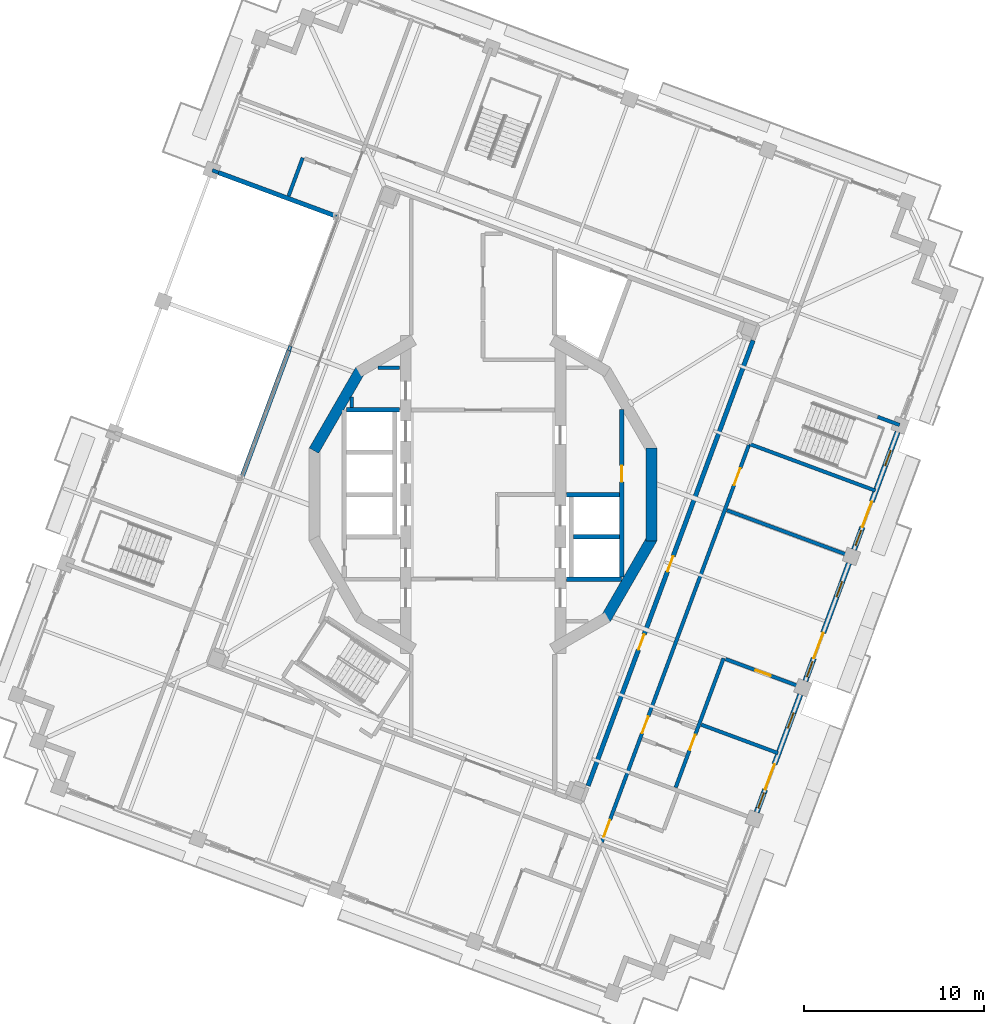
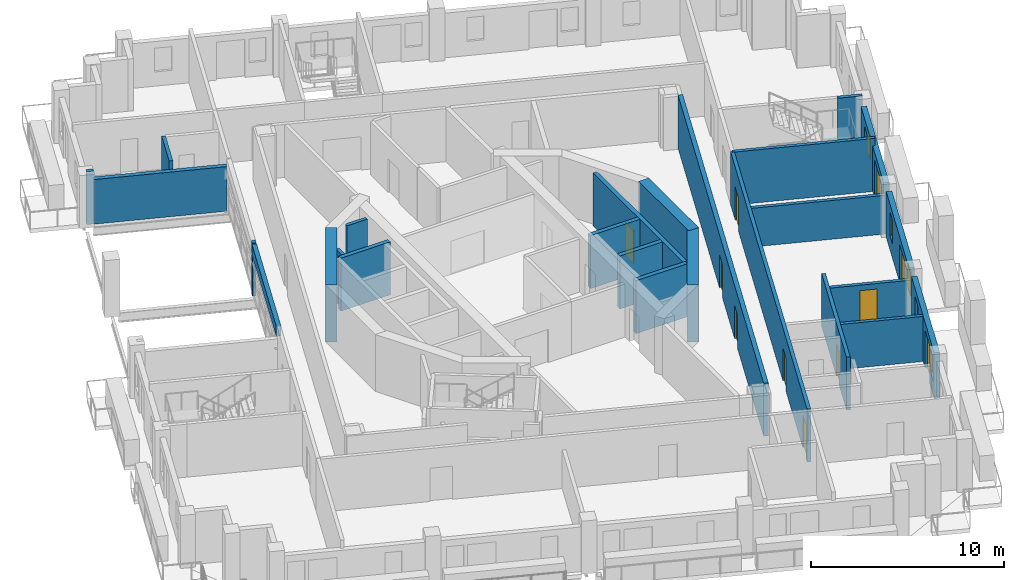
# One storey, part 10 of 20: 26 walls, 11 doors, 6 windows, 17 openings.
"""IFC4 building model written with IfcOpenShell, lengths in metres."""

from ifc_helpers import new_model, si_unit, direction, frame, frame_2d, origin, place, context, subcontext, project, spatial, rectangle, extrude, material, layer, layer_set, type_object, element, fill, save


model = new_model("IFC4")

# Units and contexts
model_context = context("Model", 3, precision=1e-05, world=origin(), true_north=direction((0.0, 1.0)))
body_context = subcontext(model_context, "Body", "Model", "MODEL_VIEW")
ifc_project = project(units=[si_unit("LENGTHUNIT", "METRE"), si_unit("AREAUNIT", "SQUARE_METRE"), si_unit("VOLUMEUNIT", "CUBIC_METRE"), si_unit("PLANEANGLEUNIT", "RADIAN"), si_unit("MASSUNIT", "GRAM", prefix="KILO")], contexts=[model_context])

# Site, building, storey
site_placement = place(None, origin())
site = spatial("IfcSite", under=ifc_project, at=site_placement, CompositionType="ELEMENT")
building_placement = place(site_placement, origin())
building = spatial("IfcBuilding", under=site, at=building_placement, Name="Cantera Rosa Tower", CompositionType="ELEMENT")
storey_placement = place(building_placement, frame((0.0, 0.0, 309.699951171875)))
storey = spatial("IfcBuildingStorey", under=building, at=storey_placement, Name="L68", CompositionType="ELEMENT", Elevation=309.699951171875)

# Wall
ifc_material_1 = material(Name="Gypsum board partition")
ifc_layer_1 = layer(ifc_material_1, 0.199951171875)
ifc_layer_set_1 = layer_set([ifc_layer_1], Name="CORRIDOR WALL 200 H3350")
wall_type_1 = type_object("IfcWallType", Name="CORRIDOR WALL 200 H3350", PredefinedType="PARTITIONING", material=ifc_layer_set_1)
wall_1_placement = place(storey_placement, frame((-10.69775390625, 8.256103515625, 0.0), z_axis=(0.0, 0.0, 1.0), x_axis=(-0.347639521276, -0.937628264957, 0.0)))
element("IfcWall", 1, at=wall_1_placement, inside=storey, type_object=wall_type_1, Name="CORRIDOR WALL L68-029", PredefinedType="PARTITIONING", context=body_context, shape_type="SweptSolid", body=[
    extrude(rectangle(XDim=0.26904296875, YDim=0.199951171875, at=frame_2d((0.134521484375, 0.0))), origin(), (0.0, 0.0, 1.0), 3.35009765625),
])

# Wall, openings, doors
wall_2_placement = place(storey_placement, frame((6.595458984375, -19.326171875, 0.0), z_axis=(0.0, 0.0, 1.0), x_axis=(0.347482068394, 0.937686627901, 0.0)))
wall_2 = element("IfcWall", 2, at=wall_2_placement, inside=storey, type_object=wall_type_1, Name="CORRIDOR WALL L68-079", PredefinedType="PARTITIONING", context=body_context, shape_type="SweptSolid", body=[
    extrude(rectangle(XDim=23.610107421875, YDim=0.199951171875, at=frame_2d((11.80517578125, 0.0))), origin(), (0.0, 0.0, 1.0), 3.35009765625),
])
opening_1_placement = place(wall_2_placement, frame((6.4599609375, 0.0, 0.0)))
opening_1 = element("IfcOpeningElement", 3, at=opening_1_placement, cuts=wall_2, Name="Opening L68-031", PredefinedType="OPENING", context=body_context, shape_type="SweptSolid", body=[
    extrude(rectangle(XDim=1.0, YDim=2.10009765625, at=frame_2d((0.5, 1.050048828125))), frame((0.0, 0.10986328125, 0.0), z_axis=(0.0, -1.0, 0.0), x_axis=(1.0, 0.0, 0.0)), (0.0, 0.0, 1.0), 0.219970703125),
])
opening_2_placement = place(wall_2_placement, frame((21.1650390625, 0.0, 0.0)))
opening_2 = element("IfcOpeningElement", 4, at=opening_2_placement, cuts=wall_2, Name="Opening L68-036", PredefinedType="OPENING", context=body_context, shape_type="SweptSolid", body=[
    extrude(rectangle(XDim=1.0, YDim=2.10009765625, at=frame_2d((0.5, 1.050048828125))), frame((0.0, 0.10986328125, 0.0), z_axis=(0.0, -1.0, 0.0), x_axis=(1.0, 0.0, 0.0)), (0.0, 0.0, 1.0), 0.219970703125),
])
opening_3_placement = place(wall_2_placement, frame((0.320068359375, 0.0, 0.0)))
opening_3 = element("IfcOpeningElement", 5, at=opening_3_placement, cuts=wall_2, Name="Opening L68-037", PredefinedType="OPENING", context=body_context, shape_type="SweptSolid", body=[
    extrude(rectangle(XDim=1.0, YDim=2.10009765625, at=frame_2d((0.5, 1.050048828125))), frame((0.0, 0.10986328125, 0.0), z_axis=(0.0, -1.0, 0.0), x_axis=(1.0, 0.0, 0.0)), (0.0, 0.0, 1.0), 0.219970703125),
])
ifc_material_2 = material(Name="Timber door leaf", Category="wood")
door_type_1 = type_object("IfcDoorType", Name="ENTRANCE DOOR 1000x2100", OperationType="NOTDEFINED", PredefinedType="DOOR", material=ifc_material_2)
door_1_placement = place(opening_1_placement, origin())
door_1 = element("IfcDoor", 6, at=door_1_placement, inside=storey, type_object=door_type_1, Name="DOOR L68-031", OperationType="NOTDEFINED", OverallHeight=2.10009765625, OverallWidth=1.0, PredefinedType="DOOR", context=body_context, shape_type="SweptSolid", body=[
    extrude(rectangle(XDim=1.0, YDim=2.10009765625, at=frame_2d((0.5, 1.050048828125))), frame((0.0, 0.02490234375, 0.0), z_axis=(0.0, -1.0, 0.0), x_axis=(1.0, 0.0, 0.0)), (0.0, 0.0, 1.0), 0.050048828125),
])
fill(opening_1, door_1)
door_2_placement = place(opening_3_placement, origin())
door_2 = element("IfcDoor", 7, at=door_2_placement, inside=storey, type_object=door_type_1, Name="DOOR L68-037", OperationType="NOTDEFINED", OverallHeight=2.10009765625, OverallWidth=1.0, PredefinedType="DOOR", context=body_context, shape_type="SweptSolid", body=[
    extrude(rectangle(XDim=1.0, YDim=2.10009765625, at=frame_2d((0.5, 1.050048828125))), frame((0.0, 0.02490234375, 0.0), z_axis=(0.0, -1.0, 0.0), x_axis=(1.0, 0.0, 0.0)), (0.0, 0.0, 1.0), 0.050048828125),
])
fill(opening_3, door_2)
ifc_material_3 = material(Name="Timber door leaf", Category="wood")
door_type_2 = type_object("IfcDoorType", Name="ROOM DOOR 1000x2100", OperationType="NOTDEFINED", PredefinedType="DOOR", material=ifc_material_3)
door_3_placement = place(opening_2_placement, origin())
door_3 = element("IfcDoor", 8, at=door_3_placement, inside=storey, type_object=door_type_2, Name="DOOR L68-036", OperationType="NOTDEFINED", OverallHeight=2.10009765625, OverallWidth=1.0, PredefinedType="DOOR", context=body_context, shape_type="SweptSolid", body=[
    extrude(rectangle(XDim=1.0, YDim=2.10009765625, at=frame_2d((0.5, 1.050048828125))), frame((0.0, 0.02490234375, 0.0), z_axis=(0.0, -1.0, 0.0), x_axis=(1.0, 0.0, 0.0)), (0.0, 0.0, 1.0), 0.050048828125),
])
fill(opening_2, door_3)

# Wall, openings, windows, door
ifc_material_4 = material(Name="Hollow clay masonry with cantera stone cladding", Category="masonry")
ifc_layer_2 = layer(ifc_material_4, 0.300048828125)
ifc_layer_set_2 = layer_set([ifc_layer_2], Name="EW-LOGGIA 300 H2890")
wall_type_2 = type_object("IfcWallType", Name="EW-LOGGIA 300 H2890", PredefinedType="SOLIDWALL", material=ifc_layer_set_2)
wall_3_placement = place(storey_placement, frame((15.212646484375, -17.65625, 0.0), z_axis=(0.0, 0.0, 1.0), x_axis=(0.347502316452, 0.937679124253, 0.0)))
wall_3 = element("IfcWall", 9, at=wall_3_placement, inside=storey, type_object=wall_type_2, Name="EN-L68-W21", PredefinedType="SOLIDWALL", context=body_context, shape_type="SweptSolid", body=[
    extrude(rectangle(XDim=6.97998046875, YDim=0.300048828125, at=frame_2d((3.489990234375, 0.0))), origin(), (0.0, 0.0, 1.0), 2.89013671875),
])
opening_4_placement = place(wall_3_placement, frame((0.2451171875, 0.0, 0.89990234375)))
opening_4 = element("IfcOpeningElement", 10, at=opening_4_placement, cuts=wall_3, Name="Opening L68-W37", PredefinedType="OPENING", context=body_context, shape_type="SweptSolid", body=[
    extrude(rectangle(XDim=0.89990234375, YDim=1.5, at=frame_2d((0.449951171875, 0.75))), frame((0.0, 0.159912109375, 0.0), z_axis=(0.0, -1.0, 0.0), x_axis=(1.0, 0.0, 0.0)), (0.0, 0.0, 1.0), 0.320068359375),
])
opening_5_placement = place(wall_3_placement, frame((1.344970703125, 0.0, 0.0)))
opening_5 = element("IfcOpeningElement", 11, at=opening_5_placement, cuts=wall_3, Name="Opening L68-TD38", PredefinedType="OPENING", context=body_context, shape_type="SweptSolid", body=[
    extrude(rectangle(XDim=1.5, YDim=2.39990234375, at=frame_2d((0.75, 1.199951171875))), frame((0.0, 0.159912109375, 0.0), z_axis=(0.0, -1.0, 0.0), x_axis=(1.0, 0.0, 0.0)), (0.0, 0.0, 1.0), 0.320068359375),
])
opening_6_placement = place(wall_3_placement, frame((4.985107421875, 0.0, 0.89990234375)))
opening_6 = element("IfcOpeningElement", 12, at=opening_6_placement, cuts=wall_3, Name="Opening L68-W39", PredefinedType="OPENING", context=body_context, shape_type="SweptSolid", body=[
    extrude(rectangle(XDim=0.89990234375, YDim=1.5, at=frame_2d((0.449951171875, 0.75))), frame((0.0, 0.159912109375, 0.0), z_axis=(0.0, -1.0, 0.0), x_axis=(1.0, 0.0, 0.0)), (0.0, 0.0, 1.0), 0.320068359375),
])
ifc_material_5 = material(Name="Aluminium frame with clear glass", Category="aluminium")
window_type = type_object("IfcWindowType", Name="Residential window 900x1500", PartitioningType="SINGLE_PANEL", PredefinedType="WINDOW", material=ifc_material_5)
window_1_placement = place(opening_4_placement, origin())
window_1 = element("IfcWindow", 13, at=window_1_placement, inside=storey, type_object=window_type, Name="WINDOW L68-W37", OverallHeight=1.5, OverallWidth=0.89990234375, PartitioningType="SINGLE_PANEL", PredefinedType="WINDOW", context=body_context, shape_type="SweptSolid", body=[
    extrude(rectangle(XDim=0.89990234375, YDim=1.5, at=frame_2d((0.449951171875, 0.75))), frame((0.0, 0.030029296875, 0.0), z_axis=(0.0, -1.0, 0.0), x_axis=(1.0, 0.0, 0.0)), (0.0, 0.0, 1.0), 0.06005859375),
])
fill(opening_4, window_1)
window_2_placement = place(opening_6_placement, origin())
window_2 = element("IfcWindow", 14, at=window_2_placement, inside=storey, type_object=window_type, Name="WINDOW L68-W39", OverallHeight=1.5, OverallWidth=0.89990234375, PartitioningType="SINGLE_PANEL", PredefinedType="WINDOW", context=body_context, shape_type="SweptSolid", body=[
    extrude(rectangle(XDim=0.89990234375, YDim=1.5, at=frame_2d((0.449951171875, 0.75))), frame((0.0, 0.030029296875, 0.0), z_axis=(0.0, -1.0, 0.0), x_axis=(1.0, 0.0, 0.0)), (0.0, 0.0, 1.0), 0.06005859375),
])
fill(opening_6, window_2)
ifc_material_6 = material(Name="Aluminium frame with clear glass", Category="aluminium")
door_type_3 = type_object("IfcDoorType", Name="TD-R 1500x2400", OperationType="NOTDEFINED", PredefinedType="DOOR", material=ifc_material_6)
door_4_placement = place(opening_5_placement, origin())
door_4 = element("IfcDoor", 15, at=door_4_placement, inside=storey, type_object=door_type_3, Name="LOGGIA DOOR L68-TD38", OperationType="SLIDING_TO_LEFT", OverallHeight=2.39990234375, OverallWidth=1.5, PredefinedType="DOOR", context=body_context, shape_type="SweptSolid", body=[
    extrude(rectangle(XDim=1.5, YDim=2.39990234375, at=frame_2d((0.75, 1.199951171875))), frame((0.0, 0.02490234375, 0.0), z_axis=(0.0, -1.0, 0.0), x_axis=(1.0, 0.0, 0.0)), (0.0, 0.0, 1.0), 0.050048828125),
])
fill(opening_5, door_4)

wall_4_placement = place(storey_placement, frame((17.916015625, -10.361083984375, 0.0), z_axis=(0.0, 0.0, 1.0), x_axis=(0.347502316452, 0.937679124253, 0.0)))
wall_4 = element("IfcWall", 16, at=wall_4_placement, inside=storey, type_object=wall_type_2, Name="EN-L68-W22", PredefinedType="SOLIDWALL", context=body_context, shape_type="SweptSolid", body=[
    extrude(rectangle(XDim=6.97998046875, YDim=0.300048828125, at=frame_2d((3.489990234375, 0.0))), origin(), (0.0, 0.0, 1.0), 2.89013671875),
])
opening_7_placement = place(wall_4_placement, frame((0.2451171875, 0.0, 0.89990234375)))
opening_7 = element("IfcOpeningElement", 17, at=opening_7_placement, cuts=wall_4, Name="Opening L68-W40", PredefinedType="OPENING", context=body_context, shape_type="SweptSolid", body=[
    extrude(rectangle(XDim=0.89990234375, YDim=1.5, at=frame_2d((0.449951171875, 0.75))), frame((0.0, 0.159912109375, 0.0), z_axis=(0.0, -1.0, 0.0), x_axis=(1.0, 0.0, 0.0)), (0.0, 0.0, 1.0), 0.320068359375),
])
opening_8_placement = place(wall_4_placement, frame((1.344970703125, 0.0, 0.0)))
opening_8 = element("IfcOpeningElement", 18, at=opening_8_placement, cuts=wall_4, Name="Opening L68-TD41", PredefinedType="OPENING", context=body_context, shape_type="SweptSolid", body=[
    extrude(rectangle(XDim=1.5, YDim=2.39990234375, at=frame_2d((0.75, 1.199951171875))), frame((0.0, 0.159912109375, 0.0), z_axis=(0.0, -1.0, 0.0), x_axis=(1.0, 0.0, 0.0)), (0.0, 0.0, 1.0), 0.320068359375),
])
opening_9_placement = place(wall_4_placement, frame((4.985107421875, 0.0, 0.89990234375)))
opening_9 = element("IfcOpeningElement", 19, at=opening_9_placement, cuts=wall_4, Name="Opening L68-W42", PredefinedType="OPENING", context=body_context, shape_type="SweptSolid", body=[
    extrude(rectangle(XDim=0.89990234375, YDim=1.5, at=frame_2d((0.449951171875, 0.75))), frame((0.0, 0.159912109375, 0.0), z_axis=(0.0, -1.0, 0.0), x_axis=(1.0, 0.0, 0.0)), (0.0, 0.0, 1.0), 0.320068359375),
])
window_3_placement = place(opening_7_placement, origin())
window_3 = element("IfcWindow", 20, at=window_3_placement, inside=storey, type_object=window_type, Name="WINDOW L68-W40", OverallHeight=1.5, OverallWidth=0.89990234375, PartitioningType="SINGLE_PANEL", PredefinedType="WINDOW", context=body_context, shape_type="SweptSolid", body=[
    extrude(rectangle(XDim=0.89990234375, YDim=1.5, at=frame_2d((0.449951171875, 0.75))), frame((0.0, 0.030029296875, 0.0), z_axis=(0.0, -1.0, 0.0), x_axis=(1.0, 0.0, 0.0)), (0.0, 0.0, 1.0), 0.06005859375),
])
fill(opening_7, window_3)
window_4_placement = place(opening_9_placement, origin())
window_4 = element("IfcWindow", 21, at=window_4_placement, inside=storey, type_object=window_type, Name="WINDOW L68-W42", OverallHeight=1.5, OverallWidth=0.89990234375, PartitioningType="SINGLE_PANEL", PredefinedType="WINDOW", context=body_context, shape_type="SweptSolid", body=[
    extrude(rectangle(XDim=0.89990234375, YDim=1.5, at=frame_2d((0.449951171875, 0.75))), frame((0.0, 0.030029296875, 0.0), z_axis=(0.0, -1.0, 0.0), x_axis=(1.0, 0.0, 0.0)), (0.0, 0.0, 1.0), 0.06005859375),
])
fill(opening_9, window_4)
door_5_placement = place(opening_8_placement, origin())
door_5 = element("IfcDoor", 22, at=door_5_placement, inside=storey, type_object=door_type_3, Name="LOGGIA DOOR L68-TD41", OperationType="SLIDING_TO_LEFT", OverallHeight=2.39990234375, OverallWidth=1.5, PredefinedType="DOOR", context=body_context, shape_type="SweptSolid", body=[
    extrude(rectangle(XDim=1.5, YDim=2.39990234375, at=frame_2d((0.75, 1.199951171875))), frame((0.0, 0.02490234375, 0.0), z_axis=(0.0, -1.0, 0.0), x_axis=(1.0, 0.0, 0.0)), (0.0, 0.0, 1.0), 0.050048828125),
])
fill(opening_8, door_5)

wall_5_placement = place(storey_placement, frame((20.61962890625, -3.06591796875, 0.0), z_axis=(0.0, 0.0, 1.0), x_axis=(0.347471562124, 0.937690521182, 0.0)))
wall_5 = element("IfcWall", 23, at=wall_5_placement, inside=storey, type_object=wall_type_2, Name="EN-L68-W23", PredefinedType="SOLIDWALL", context=body_context, shape_type="SweptSolid", body=[
    extrude(rectangle(XDim=6.979736328125, YDim=0.300048828125, at=frame_2d((3.48974609375, 0.0))), origin(), (0.0, 0.0, 1.0), 2.89013671875),
])
opening_10_placement = place(wall_5_placement, frame((0.2451171875, 0.0, 0.89990234375)))
opening_10 = element("IfcOpeningElement", 24, at=opening_10_placement, cuts=wall_5, Name="Opening L68-W43", PredefinedType="OPENING", context=body_context, shape_type="SweptSolid", body=[
    extrude(rectangle(XDim=0.89990234375, YDim=1.5, at=frame_2d((0.449951171875, 0.75))), frame((0.0, 0.159912109375, 0.0), z_axis=(0.0, -1.0, 0.0), x_axis=(1.0, 0.0, 0.0)), (0.0, 0.0, 1.0), 0.320068359375),
])
opening_11_placement = place(wall_5_placement, frame((1.344970703125, 0.0, 0.0)))
opening_11 = element("IfcOpeningElement", 25, at=opening_11_placement, cuts=wall_5, Name="Opening L68-TD44", PredefinedType="OPENING", context=body_context, shape_type="SweptSolid", body=[
    extrude(rectangle(XDim=1.5, YDim=2.39990234375, at=frame_2d((0.75, 1.199951171875))), frame((0.0, 0.159912109375, 0.0), z_axis=(0.0, -1.0, 0.0), x_axis=(1.0, 0.0, 0.0)), (0.0, 0.0, 1.0), 0.320068359375),
])
opening_12_placement = place(wall_5_placement, frame((4.985107421875, 0.0, 0.89990234375)))
opening_12 = element("IfcOpeningElement", 26, at=opening_12_placement, cuts=wall_5, Name="Opening L68-W45", PredefinedType="OPENING", context=body_context, shape_type="SweptSolid", body=[
    extrude(rectangle(XDim=0.89990234375, YDim=1.5, at=frame_2d((0.449951171875, 0.75))), frame((0.0, 0.159912109375, 0.0), z_axis=(0.0, -1.0, 0.0), x_axis=(1.0, 0.0, 0.0)), (0.0, 0.0, 1.0), 0.320068359375),
])
window_5_placement = place(opening_10_placement, origin())
window_5 = element("IfcWindow", 27, at=window_5_placement, inside=storey, type_object=window_type, Name="WINDOW L68-W43", OverallHeight=1.5, OverallWidth=0.89990234375, PartitioningType="SINGLE_PANEL", PredefinedType="WINDOW", context=body_context, shape_type="SweptSolid", body=[
    extrude(rectangle(XDim=0.89990234375, YDim=1.5, at=frame_2d((0.449951171875, 0.75))), frame((0.0, 0.030029296875, 0.0), z_axis=(0.0, -1.0, 0.0), x_axis=(1.0, 0.0, 0.0)), (0.0, 0.0, 1.0), 0.06005859375),
])
fill(opening_10, window_5)
window_6_placement = place(opening_12_placement, origin())
window_6 = element("IfcWindow", 28, at=window_6_placement, inside=storey, type_object=window_type, Name="WINDOW L68-W45", OverallHeight=1.5, OverallWidth=0.89990234375, PartitioningType="SINGLE_PANEL", PredefinedType="WINDOW", context=body_context, shape_type="SweptSolid", body=[
    extrude(rectangle(XDim=0.89990234375, YDim=1.5, at=frame_2d((0.449951171875, 0.75))), frame((0.0, 0.030029296875, 0.0), z_axis=(0.0, -1.0, 0.0), x_axis=(1.0, 0.0, 0.0)), (0.0, 0.0, 1.0), 0.06005859375),
])
fill(opening_12, window_6)
door_6_placement = place(opening_11_placement, origin())
door_6 = element("IfcDoor", 29, at=door_6_placement, inside=storey, type_object=door_type_3, Name="LOGGIA DOOR L68-TD44", OperationType="SLIDING_TO_LEFT", OverallHeight=2.39990234375, OverallWidth=1.5, PredefinedType="DOOR", context=body_context, shape_type="SweptSolid", body=[
    extrude(rectangle(XDim=1.5, YDim=2.39990234375, at=frame_2d((0.75, 1.199951171875))), frame((0.0, 0.02490234375, 0.0), z_axis=(0.0, -1.0, 0.0), x_axis=(1.0, 0.0, 0.0)), (0.0, 0.0, 1.0), 0.050048828125),
])
fill(opening_11, door_6)

# Walls
ifc_material_7 = material(Name="Concrete C40/50", Category="concrete")
ifc_layer_3 = layer(ifc_material_7, 0.25)
ifc_layer_set_3 = layer_set([ifc_layer_3], Name="EW-POCKET CHEEK 250 H2820")
wall_type_3 = type_object("IfcWallType", Name="EW-POCKET CHEEK 250 H2820", PredefinedType="SOLIDWALL", material=ifc_layer_set_3)
wall_6_placement = place(storey_placement, frame((-14.69873046875, 17.892333984375, 0.0), z_axis=(0.0, 0.0, 1.0), x_axis=(0.937689427556, -0.34747451338, 0.0)))
element("IfcWall", 30, at=wall_6_placement, inside=storey, type_object=wall_type_3, Name="POCKET CHEEK A L68", PredefinedType="SOLIDWALL", context=body_context, shape_type="SweptSolid", body=[
    extrude(rectangle(XDim=7.000244140625, YDim=0.25, at=frame_2d((3.5, 0.0))), origin(), (0.0, 0.0, 1.0), 2.820068359375),
])
ifc_material_8 = material(Name="Hollow clay masonry with cantera stone cladding", Category="masonry")
ifc_layer_4 = layer(ifc_material_8, 0.25)
ifc_layer_set_4 = layer_set([ifc_layer_4], Name="EW-POCKET REAR 250")
wall_type_4 = type_object("IfcWallType", Name="EW-POCKET REAR 250", PredefinedType="SOLIDWALL", material=ifc_layer_set_4)
wall_7_placement = place(storey_placement, frame((-10.791259765625, 8.00390625, 2.657958984375), z_axis=(0.0, 0.0, 1.0), x_axis=(-0.347491979955, -0.937682954877, 0.0)))
element("IfcWall", 31, at=wall_7_placement, inside=storey, type_object=wall_type_4, Name="POCKET SPANDREL L68-2", PredefinedType="SOLIDWALL", context=body_context, shape_type="SweptSolid", body=[
    extrude(rectangle(XDim=7.5205078125, YDim=0.25, at=frame_2d((3.76025390625, 0.0))), origin(), (0.0, 0.0, 1.0), 0.64208984375),
])

# Wall, opening, door
ifc_material_9 = material(Name="Gypsum board partition")
ifc_layer_5 = layer(ifc_material_9, 0.199951171875)
ifc_layer_set_5 = layer_set([ifc_layer_5], Name="PARTITION 200 H2450")
wall_type_5 = type_object("IfcWallType", Name="PARTITION 200 H2450", PredefinedType="PARTITIONING", material=ifc_layer_set_5)
wall_8_placement = place(storey_placement, frame((13.482421875, -9.144775390625, 0.0), z_axis=(0.0, 0.0, 1.0), x_axis=(0.937689201273, -0.347475124024, 0.0)))
wall_8 = element("IfcWall", 32, at=wall_8_placement, inside=storey, type_object=wall_type_5, Name="PARTITION L68-089", PredefinedType="PARTITIONING", context=body_context, shape_type="SweptSolid", body=[
    extrude(rectangle(XDim=4.550048828125, YDim=0.199951171875, at=frame_2d((2.27490234375, 0.0))), origin(), (0.0, 0.0, 1.0), 2.449951171875),
])
opening_13_placement = place(wall_8_placement, frame((1.780029296875, 0.0, 0.0)))
opening_13 = element("IfcOpeningElement", 33, at=opening_13_placement, cuts=wall_8, Name="Opening L68-035", PredefinedType="OPENING", context=body_context, shape_type="SweptSolid", body=[
    extrude(rectangle(XDim=0.89990234375, YDim=2.10009765625, at=frame_2d((0.449951171875, 1.050048828125))), frame((0.0, 0.10986328125, 0.0), z_axis=(0.0, -1.0, 0.0), x_axis=(1.0, 0.0, 0.0)), (0.0, 0.0, 1.0), 0.219970703125),
])
ifc_material_10 = material(Name="Timber door leaf", Category="wood")
door_type_4 = type_object("IfcDoorType", Name="ROOM DOOR 900x2100", OperationType="NOTDEFINED", PredefinedType="DOOR", material=ifc_material_10)
door_7_placement = place(opening_13_placement, origin())
door_7 = element("IfcDoor", 34, at=door_7_placement, inside=storey, type_object=door_type_4, Name="DOOR L68-035", OperationType="NOTDEFINED", OverallHeight=2.10009765625, OverallWidth=0.89990234375, PredefinedType="DOOR", context=body_context, shape_type="SweptSolid", body=[
    extrude(rectangle(XDim=0.89990234375, YDim=2.10009765625, at=frame_2d((0.449951171875, 1.050048828125))), frame((0.0, 0.02490234375, 0.0), z_axis=(0.0, -1.0, 0.0), x_axis=(1.0, 0.0, 0.0)), (0.0, 0.0, 1.0), 0.050048828125),
])
fill(opening_13, door_7)

# Walls
ifc_material_11 = material(Name="Gypsum board partition")
ifc_layer_6 = layer(ifc_material_11, 0.199951171875)
ifc_layer_set_6 = layer_set([ifc_layer_6], Name="PARTITION 200 H2850")
wall_type_6 = type_object("IfcWallType", Name="PARTITION 200 H2850", PredefinedType="PARTITIONING", material=ifc_layer_set_6)
wall_9_placement = place(storey_placement, frame((12.130859375, -12.79248046875, 0.0), z_axis=(0.0, 0.0, 1.0), x_axis=(0.937700205551, -0.347445426663, 0.0)))
element("IfcWall", 35, at=wall_9_placement, inside=storey, type_object=wall_type_6, Name="PARTITION L68-088", PredefinedType="PARTITIONING", context=body_context, shape_type="SweptSolid", body=[
    extrude(rectangle(XDim=4.5498046875, YDim=0.199951171875, at=frame_2d((2.27490234375, 0.0))), origin(), (0.0, 0.0, 1.0), 2.85009765625),
])
ifc_material_12 = material(Name="Gypsum board partition")
ifc_layer_7 = layer(ifc_material_12, 0.199951171875)
ifc_layer_set_7 = layer_set([ifc_layer_7], Name="PARTITION 200 H3350")
wall_type_7 = type_object("IfcWallType", Name="PARTITION 200 H3350", PredefinedType="PARTITIONING", material=ifc_layer_set_7)
wall_10_placement = place(storey_placement, frame((-10.80712890625, 16.59423828125, 0.0), z_axis=(0.0, 0.0, 1.0), x_axis=(0.347388074377, 0.937721454261, 0.0)))
element("IfcWall", 36, at=wall_10_placement, inside=storey, type_object=wall_type_7, Name="PARTITION L68-013", PredefinedType="PARTITIONING", context=body_context, shape_type="SweptSolid", body=[
    extrude(rectangle(XDim=2.26513671875, YDim=0.199951171875, at=frame_2d((1.132568359375, 0.0))), origin(), (0.0, 0.0, 1.0), 3.35009765625),
])
wall_11_placement = place(storey_placement, frame((-14.698486328125, 17.892333984375, 0.0), z_axis=(0.0, 0.0, 1.0), x_axis=(-0.937677152558, 0.347507636708, 0.0)))
element("IfcWall", 37, at=wall_11_placement, inside=storey, type_object=wall_type_7, Name="PARTITION L68-021", PredefinedType="PARTITIONING", context=body_context, shape_type="SweptSolid", body=[
    extrude(rectangle(XDim=0.370361328125, YDim=0.199951171875, at=frame_2d((0.18505859375, 0.0))), origin(), (0.0, 0.0, 1.0), 3.35009765625),
])
wall_12_placement = place(storey_placement, frame((-7.300048828125, 4.824951171875, 0.0), z_axis=(0.0, 0.0, 1.0), x_axis=(0.0, 1.0, 0.0)))
element("IfcWall", 38, at=wall_12_placement, inside=storey, type_object=wall_type_7, Name="PARTITION L68-027", PredefinedType="PARTITIONING", context=body_context, shape_type="SweptSolid", body=[
    extrude(rectangle(XDim=0.589599609375, YDim=0.199951171875, at=frame_2d((0.294921875, 0.0))), origin(), (0.0, 0.0, 1.0), 3.35009765625),
])
wall_13_placement = place(storey_placement, frame((-5.84765625, 7.050048828125, 0.0), z_axis=(0.0, 0.0, 1.0), x_axis=(1.0, 0.0, 0.0)))
element("IfcWall", 39, at=wall_13_placement, inside=storey, type_object=wall_type_7, Name="PARTITION L68-034", PredefinedType="PARTITIONING", context=body_context, shape_type="SweptSolid", body=[
    extrude(rectangle(XDim=1.2177734375, YDim=0.199951171875, at=frame_2d((0.60888671875, 0.0))), origin(), (0.0, 0.0, 1.0), 3.35009765625),
])

# Wall, opening, door
wall_14_placement = place(storey_placement, frame((10.708251953125, -16.28564453125, 0.0), z_axis=(0.0, 0.0, 1.0), x_axis=(0.347502237007, 0.937679153696, 0.0)))
wall_14 = element("IfcWall", 40, at=wall_14_placement, inside=storey, type_object=wall_type_7, Name="PARTITION L68-086", PredefinedType="PARTITIONING", context=body_context, shape_type="SweptSolid", body=[
    extrude(rectangle(XDim=7.659912109375, YDim=0.199951171875, at=frame_2d((3.830078125, 0.0))), origin(), (0.0, 0.0, 1.0), 3.35009765625),
])
opening_14_placement = place(wall_14_placement, frame((2.22998046875, 0.0, 0.0)))
opening_14 = element("IfcOpeningElement", 41, at=opening_14_placement, cuts=wall_14, Name="Opening L68-034", PredefinedType="OPENING", context=body_context, shape_type="SweptSolid", body=[
    extrude(rectangle(XDim=0.89990234375, YDim=2.10009765625, at=frame_2d((0.449951171875, 1.050048828125))), frame((0.0, 0.10986328125, 0.0), z_axis=(0.0, -1.0, 0.0), x_axis=(1.0, 0.0, 0.0)), (0.0, 0.0, 1.0), 0.219970703125),
])
door_8_placement = place(opening_14_placement, origin())
door_8 = element("IfcDoor", 42, at=door_8_placement, inside=storey, type_object=door_type_4, Name="DOOR L68-034", OperationType="NOTDEFINED", OverallHeight=2.10009765625, OverallWidth=0.89990234375, PredefinedType="DOOR", context=body_context, shape_type="SweptSolid", body=[
    extrude(rectangle(XDim=0.89990234375, YDim=2.10009765625, at=frame_2d((0.449951171875, 1.050048828125))), frame((0.0, 0.02490234375, 0.0), z_axis=(0.0, -1.0, 0.0), x_axis=(1.0, 0.0, 0.0)), (0.0, 0.0, 1.0), 0.050048828125),
])
fill(opening_14, door_8)

# Walls
ifc_material_13 = material(Name="Gypsum board partition")
ifc_layer_8 = layer(ifc_material_13, 0.199951171875)
ifc_layer_set_8 = layer_set([ifc_layer_8], Name="PARTY WALL 200 H2450")
wall_type_8 = type_object("IfcWallType", Name="PARTY WALL 200 H2450", PredefinedType="PARTITIONING", material=ifc_layer_set_8)
wall_15_placement = place(storey_placement, frame((13.560302734375, -0.876708984375, 0.0), z_axis=(0.0, 0.0, 1.0), x_axis=(0.937689847803, -0.347473379308, 0.0)))
element("IfcWall", 43, at=wall_15_placement, inside=storey, type_object=wall_type_8, Name="PARTY WALL L68-090", PredefinedType="PARTITIONING", context=body_context, shape_type="SweptSolid", body=[
    extrude(rectangle(XDim=7.35009765625, YDim=0.199951171875, at=frame_2d((3.675048828125, 0.0))), origin(), (0.0, 0.0, 1.0), 2.449951171875),
])
ifc_material_14 = material(Name="Concrete C50/60", Category="concrete")
ifc_layer_9 = layer(ifc_material_14, 0.60009765625)
ifc_layer_set_9 = layer_set([ifc_layer_9], Name="RC CORE WALL 600 C50/60")
wall_type_9 = type_object("IfcWallType", Name="RC CORE WALL 600 C50/60", PredefinedType="SHEAR", material=ifc_layer_set_9)
for number, where, z_axis, x_axis, name in (
    (44, (-9.3994140625, 2.438232421875, 0.0), (0.0, 0.0, 1.0), (0.499989188378, 0.866031645787, 0.0), "CW-W4 L68"),
    (45, (9.359375, 2.588134765625, 0.0), (0.0, 0.0, 1.0), (0.0, -1.0, 0.0), "CW-E3 L68"),
    (46, (9.3994140625, -2.438232421875, 0.0), (0.0, 0.0, 1.0), (-0.499989188378, -0.866031645787, 0.0), "CW-E4 L68"),
):
    element("IfcWall", number, at=place(storey_placement, frame(where, z_axis=z_axis, x_axis=x_axis)), inside=storey, type_object=wall_type_9, Name=name, PredefinedType="SHEAR", context=body_context, shape_type="SweptSolid", body=[
        extrude(rectangle(XDim=5.17626953125, YDim=0.60009765625, at=frame_2d((2.588134765625, 0.0))), origin(), (0.0, 0.0, 1.0), 3.60009765625),
    ])
ifc_material_15 = material(Name="Masonry blockwork", Category="masonry")
ifc_layer_10 = layer(ifc_material_15, 0.25)
ifc_layer_set_10 = layer_set([ifc_layer_10], Name="SHAFT WALL 250 H3350")
wall_type_10 = type_object("IfcWallType", Name="SHAFT WALL 250 H3350", PredefinedType="SOLIDWALL", material=ifc_layer_set_10)
wall_16_placement = place(storey_placement, frame((-7.580078125, 4.699951171875, 0.0), z_axis=(0.0, 0.0, 1.0), x_axis=(1.0, 0.0, 0.0)))
element("IfcWall", 47, at=wall_16_placement, inside=storey, type_object=wall_type_10, Name="SHAFT WALL L68-026", PredefinedType="SOLIDWALL", context=body_context, shape_type="SweptSolid", body=[
    extrude(rectangle(XDim=2.9501953125, YDim=0.25, at=frame_2d((1.47509765625, 0.0))), origin(), (0.0, 0.0, 1.0), 3.35009765625),
])
wall_17_placement = place(storey_placement, frame((4.6298828125, 0.0, 0.0), z_axis=(0.0, 0.0, 1.0), x_axis=(1.0, 0.0, 0.0)))
element("IfcWall", 48, at=wall_17_placement, inside=storey, type_object=wall_type_10, Name="SHAFT WALL L68-068", PredefinedType="SOLIDWALL", context=body_context, shape_type="SweptSolid", body=[
    extrude(rectangle(XDim=2.945068359375, YDim=0.25, at=frame_2d((1.47265625, 0.0))), origin(), (0.0, 0.0, 1.0), 3.35009765625),
])

# Wall, openings, doors
wall_18_placement = place(storey_placement, frame((5.8388671875, -16.1875, 0.0), z_axis=(0.0, 0.0, 1.0), x_axis=(0.347484524478, 0.937685717737, 0.0)))
wall_18 = element("IfcWall", 49, at=wall_18_placement, inside=storey, type_object=wall_type_10, Name="SHAFT WALL L68-075", PredefinedType="SOLIDWALL", context=body_context, shape_type="SweptSolid", body=[
    extrude(rectangle(XDim=26.39990234375, YDim=0.25, at=frame_2d((13.199951171875, 0.0))), origin(), (0.0, 0.0, 1.0), 3.35009765625),
])
opening_15_placement = place(wall_18_placement, frame((8.0625, 0.0, 0.0)))
opening_15 = element("IfcOpeningElement", 50, at=opening_15_placement, cuts=wall_18, Name="Opening L68-007", PredefinedType="OPENING", context=body_context, shape_type="SweptSolid", body=[
    extrude(rectangle(XDim=0.89990234375, YDim=2.10009765625, at=frame_2d((0.449951171875, 1.050048828125))), frame((0.0, 0.135009765625, 0.0), z_axis=(0.0, -1.0, 0.0), x_axis=(1.0, 0.0, 0.0)), (0.0, 0.0, 1.0), 0.27001953125),
])
opening_16_placement = place(wall_18_placement, frame((12.699951171875, 0.0, 0.0)))
opening_16 = element("IfcOpeningElement", 51, at=opening_16_placement, cuts=wall_18, Name="Opening L68-041", PredefinedType="OPENING", context=body_context, shape_type="SweptSolid", body=[
    extrude(rectangle(XDim=0.89990234375, YDim=2.10009765625, at=frame_2d((0.449951171875, 1.050048828125))), frame((0.0, 0.135009765625, 0.0), z_axis=(0.0, -1.0, 0.0), x_axis=(1.0, 0.0, 0.0)), (0.0, 0.0, 1.0), 0.27001953125),
])
ifc_material_16 = material(Name="Timber door leaf", Category="wood")
door_type_5 = type_object("IfcDoorType", Name="SERVICE DOOR 900x2100", OperationType="NOTDEFINED", PredefinedType="DOOR", material=ifc_material_16)
door_9_placement = place(opening_15_placement, origin())
door_9 = element("IfcDoor", 52, at=door_9_placement, inside=storey, type_object=door_type_5, Name="RISER DOOR L68-007", OperationType="NOTDEFINED", OverallHeight=2.10009765625, OverallWidth=0.89990234375, PredefinedType="DOOR", context=body_context, shape_type="SweptSolid", body=[
    extrude(rectangle(XDim=0.89990234375, YDim=2.10009765625, at=frame_2d((0.449951171875, 1.050048828125))), frame((0.0, 0.02490234375, 0.0), z_axis=(0.0, -1.0, 0.0), x_axis=(1.0, 0.0, 0.0)), (0.0, 0.0, 1.0), 0.050048828125),
])
fill(opening_15, door_9)
door_10_placement = place(opening_16_placement, origin())
door_10 = element("IfcDoor", 53, at=door_10_placement, inside=storey, type_object=door_type_5, Name="RISER DOOR L68-041", OperationType="NOTDEFINED", OverallHeight=2.10009765625, OverallWidth=0.89990234375, PredefinedType="DOOR", context=body_context, shape_type="SweptSolid", body=[
    extrude(rectangle(XDim=0.89990234375, YDim=2.10009765625, at=frame_2d((0.449951171875, 1.050048828125))), frame((0.0, 0.02490234375, 0.0), z_axis=(0.0, -1.0, 0.0), x_axis=(1.0, 0.0, 0.0)), (0.0, 0.0, 1.0), 0.050048828125),
])
fill(opening_16, door_10)

# Wall
wall_19_placement = place(storey_placement, frame((7.699951171875, -4.699951171875, 0.0), z_axis=(0.0, 0.0, 1.0), x_axis=(-1.0, 0.0, 0.0)))
element("IfcWall", 54, at=wall_19_placement, inside=storey, type_object=wall_type_10, Name="SHAFT WALL L68-080", PredefinedType="SOLIDWALL", context=body_context, shape_type="SweptSolid", body=[
    extrude(rectangle(XDim=3.070068359375, YDim=0.25, at=frame_2d((1.53515625, 0.0))), origin(), (0.0, 0.0, 1.0), 3.35009765625),
])

# Wall, opening, door
wall_20_placement = place(storey_placement, frame((7.699951171875, -4.580078125, 0.0), z_axis=(0.0, 0.0, 1.0), x_axis=(0.0, 1.0, 0.0)))
wall_20 = element("IfcWall", 55, at=wall_20_placement, inside=storey, type_object=wall_type_10, Name="SHAFT WALL L68-081", PredefinedType="SOLIDWALL", context=body_context, shape_type="SweptSolid", body=[
    extrude(rectangle(XDim=9.3017578125, YDim=0.25, at=frame_2d((4.65087890625, 0.0))), origin(), (0.0, 0.0, 1.0), 3.35009765625),
])
opening_17_placement = place(wall_20_placement, frame((5.2900390625, 0.0, 0.0)))
opening_17 = element("IfcOpeningElement", 56, at=opening_17_placement, cuts=wall_20, Name="Opening L68-043", PredefinedType="OPENING", context=body_context, shape_type="SweptSolid", body=[
    extrude(rectangle(XDim=0.89990234375, YDim=2.10009765625, at=frame_2d((0.449951171875, 1.050048828125))), frame((0.0, 0.135009765625, 0.0), z_axis=(0.0, -1.0, 0.0), x_axis=(1.0, 0.0, 0.0)), (0.0, 0.0, 1.0), 0.27001953125),
])
door_11_placement = place(opening_17_placement, origin())
door_11 = element("IfcDoor", 57, at=door_11_placement, inside=storey, type_object=door_type_5, Name="RISER DOOR L68-043", OperationType="NOTDEFINED", OverallHeight=2.10009765625, OverallWidth=0.89990234375, PredefinedType="DOOR", context=body_context, shape_type="SweptSolid", body=[
    extrude(rectangle(XDim=0.89990234375, YDim=2.10009765625, at=frame_2d((0.449951171875, 1.050048828125))), frame((0.0, 0.02490234375, 0.0), z_axis=(0.0, -1.0, 0.0), x_axis=(1.0, 0.0, 0.0)), (0.0, 0.0, 1.0), 0.050048828125),
])
fill(opening_17, door_11)

# Walls
wall_21_placement = place(storey_placement, frame((7.574951171875, -2.35009765625, 0.0), z_axis=(0.0, 0.0, 1.0), x_axis=(-1.0, 0.0, 0.0)))
element("IfcWall", 58, at=wall_21_placement, inside=storey, type_object=wall_type_10, Name="SHAFT WALL L68-082", PredefinedType="SOLIDWALL", context=body_context, shape_type="SweptSolid", body=[
    extrude(rectangle(XDim=2.554931640625, YDim=0.25, at=frame_2d((1.27734375, 0.0))), origin(), (0.0, 0.0, 1.0), 3.35009765625),
])
ifc_material_17 = material(Name="Concrete C50/60", Category="concrete")
ifc_layer_11 = layer(ifc_material_17, 0.199951171875)
ifc_layer_set_11 = layer_set([ifc_layer_11], Name="STAIR WALL 200 H3350")
wall_type_11 = type_object("IfcWallType", Name="STAIR WALL 200 H3350", PredefinedType="SOLIDWALL", material=ifc_layer_set_11)
wall_22_placement = place(storey_placement, frame((14.799560546875, 2.812744140625, 0.0), z_axis=(0.0, 0.0, 1.0), x_axis=(0.93768803379, -0.347478274555, 0.0)))
element("IfcWall", 59, at=wall_22_placement, inside=storey, type_object=wall_type_11, Name="STAIR WALL L68-094", PredefinedType="SOLIDWALL", context=body_context, shape_type="SweptSolid", body=[
    extrude(rectangle(XDim=7.47021484375, YDim=0.199951171875, at=frame_2d((3.735107421875, 0.0))), origin(), (0.0, 0.0, 1.0), 3.35009765625),
])
wall_23_placement = place(storey_placement, frame((23.15576171875, 3.864501953125, 0.0), z_axis=(0.0, 0.0, 1.0), x_axis=(-0.937642248704, 0.347601802994, 0.0)))
element("IfcWall", 60, at=wall_23_placement, inside=storey, type_object=wall_type_11, Name="STAIR WALL L68-102", PredefinedType="SOLIDWALL", context=body_context, shape_type="SweptSolid", body=[
    extrude(rectangle(XDim=1.300048828125, YDim=0.199951171875, at=frame_2d((0.64990234375, 0.0))), origin(), (0.0, 0.0, 1.0), 3.35009765625),
])

save(model, "model.ifc")
